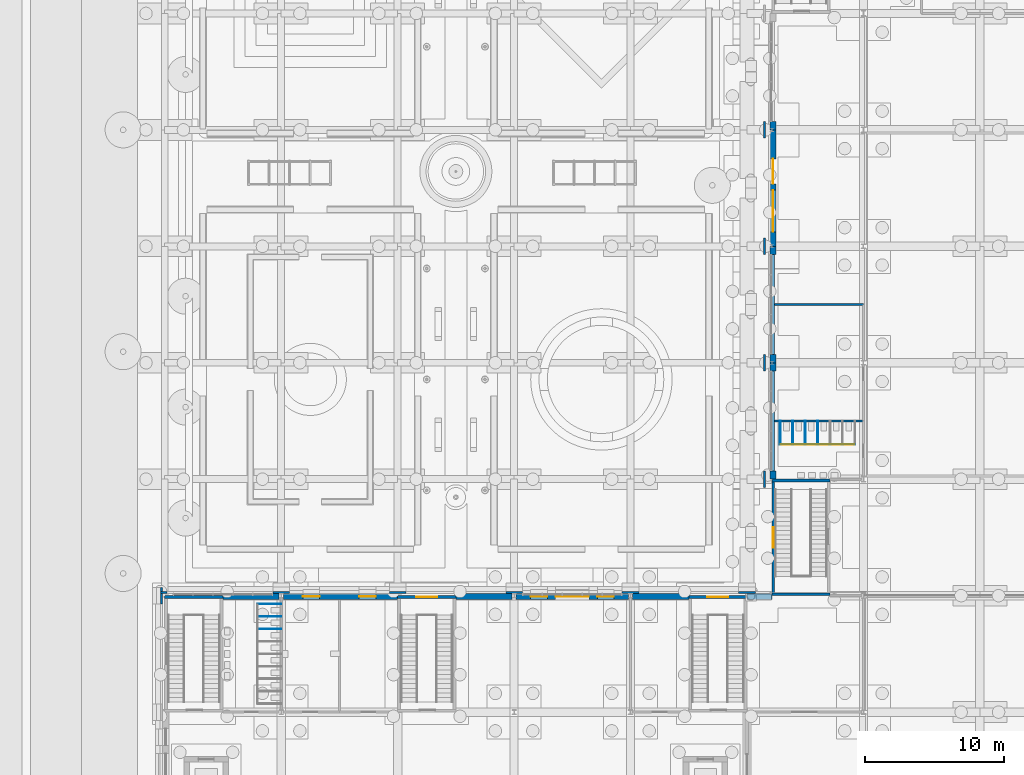
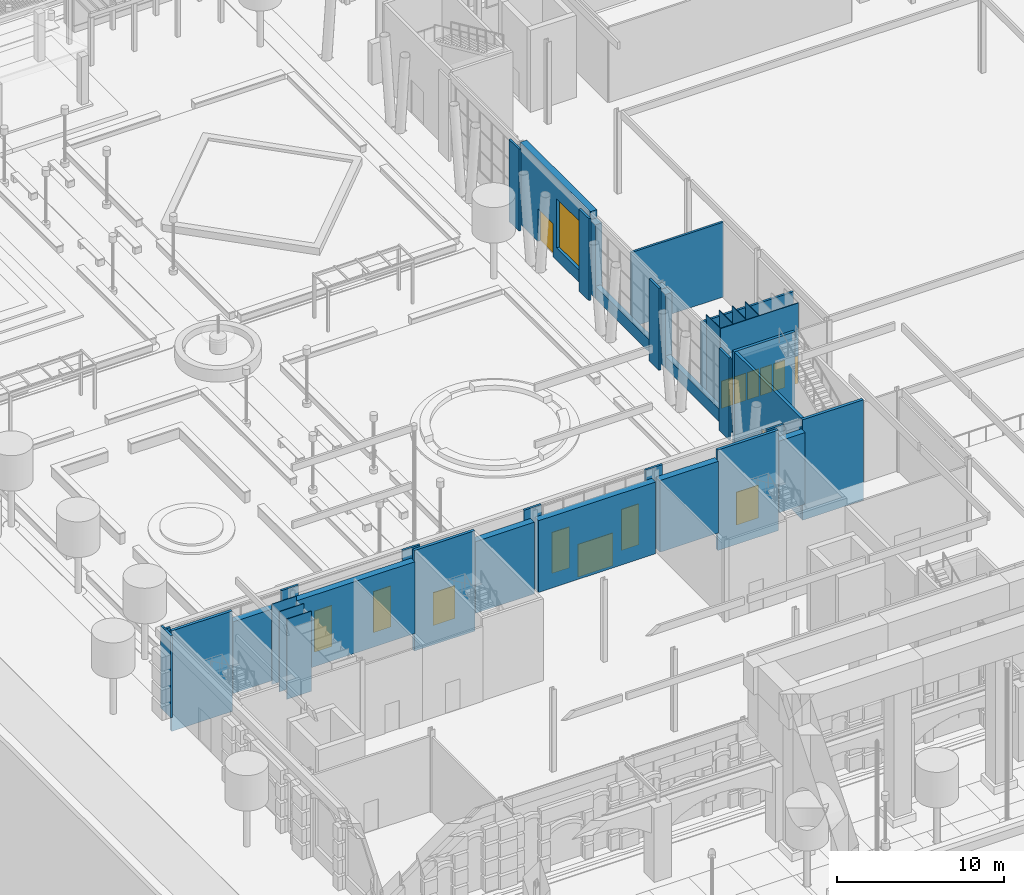
# One storey, part 93 of 222: 41 walls, 11 doors, 5 windows, 16 openings.
"""IFC4 building model written with IfcOpenShell, lengths in metres."""

from ifc_helpers import new_model, si_unit, direction, frame, frame_2d, origin, place, context, subcontext, project, spatial, rectangle, extrude, material, layer, layer_set, type_object, element, fill, save


model = new_model("IFC4")

# Units and contexts
model_context = context("Model", 3, precision=1e-05, world=origin(), true_north=direction((0.0, 1.0)))
body_context = subcontext(model_context, "Body", "Model", "MODEL_VIEW")
ifc_project = project(units=[si_unit("LENGTHUNIT", "METRE"), si_unit("AREAUNIT", "SQUARE_METRE"), si_unit("VOLUMEUNIT", "CUBIC_METRE"), si_unit("PLANEANGLEUNIT", "RADIAN"), si_unit("MASSUNIT", "GRAM", prefix="KILO")], contexts=[model_context])

# Site, building, storey
site_placement = place(None, origin())
site = spatial("IfcSite", under=ifc_project, at=site_placement, CompositionType="ELEMENT")
building_placement = place(site_placement, origin())
building = spatial("IfcBuilding", under=site, at=building_placement, Name="Sava Quay Ferry Terminal", CompositionType="ELEMENT")
storey_placement = place(building_placement, origin())
storey = spatial("IfcBuildingStorey", under=building, at=storey_placement, Name="L00", CompositionType="ELEMENT", Elevation=0.0)

# Walls
ifc_material_1 = material(Name="High-pressure laminate panel")
ifc_layer_1 = layer(ifc_material_1, 0.050048828125)
ifc_layer_set_1 = layer_set([ifc_layer_1], Name="High-pressure laminate panel")
wall_type_1 = type_object("IfcWallType", Name="Cubicle partition 50", PredefinedType="PARTITIONING", material=ifc_layer_set_1)
for number, where, z_axis, x_axis, name in (
    (1, (8.39990234375, 48.0, 0.0), (0.0, 0.0, 1.0), (-1.0, 0.0, 0.0), "Cubicle partition panel"),
    (2, (8.39990234375, 48.89990234375, 0.0), (0.0, 0.0, 1.0), (-1.0, 0.0, 0.0), "Cubicle partition panel"),
    (3, (8.39990234375, 49.800048828125, 0.0), (0.0, 0.0, 1.0), (-1.0, 0.0, 0.0), "Cubicle partition panel"),
):
    element("IfcWall", number, at=place(storey_placement, frame(where, z_axis=z_axis, x_axis=x_axis)), inside=storey, type_object=wall_type_1, Name=name, PredefinedType="PARTITIONING", context=body_context, shape_type="SweptSolid", body=[
        extrude(rectangle(XDim=1.699951171875, YDim=0.050048828125, at=frame_2d((0.85009765625, 0.0))), origin(), (0.0, 0.0, 1.0), 5.8701171875),
    ])

# Wall, openings, doors
wall_1_placement = place(storey_placement, frame((44.39990234375, 61.300048828125, 0.0), z_axis=(0.0, 0.0, 1.0), x_axis=(1.0, 0.0, 0.0)))
wall_1 = element("IfcWall", 4, at=wall_1_placement, inside=storey, type_object=wall_type_1, Name="Cubicle partition panel", PredefinedType="PARTITIONING", context=body_context, shape_type="SweptSolid", body=[
    extrude(rectangle(XDim=5.400146484375, YDim=0.050048828125, at=frame_2d((2.7001953125, 0.0))), origin(), (0.0, 0.0, 1.0), 5.8701171875),
])
opening_1_placement = place(wall_1_placement, frame((0.050048828125, 0.0, 0.0)))
opening_1 = element("IfcOpeningElement", 5, at=opening_1_placement, cuts=wall_1, Name="Opening CD021", PredefinedType="OPENING", context=body_context, shape_type="SweptSolid", body=[
    extrude(rectangle(XDim=0.800048828125, YDim=2.0, at=frame_2d((0.39990234375, 1.0))), frame((0.0, 0.02490234375, 0.0), z_axis=(0.0, -1.0, 0.0), x_axis=(1.0, 0.0, 0.0)), (0.0, 0.0, 1.0), 0.050048828125),
])
opening_2_placement = place(wall_1_placement, frame((0.949951171875, 0.0, 0.0)))
opening_2 = element("IfcOpeningElement", 6, at=opening_2_placement, cuts=wall_1, Name="Opening CD022", PredefinedType="OPENING", context=body_context, shape_type="SweptSolid", body=[
    extrude(rectangle(XDim=0.800048828125, YDim=2.0, at=frame_2d((0.39990234375, 1.0))), frame((0.0, 0.02490234375, 0.0), z_axis=(0.0, -1.0, 0.0), x_axis=(1.0, 0.0, 0.0)), (0.0, 0.0, 1.0), 0.050048828125),
])
opening_3_placement = place(wall_1_placement, frame((1.85009765625, 0.0, 0.0)))
opening_3 = element("IfcOpeningElement", 7, at=opening_3_placement, cuts=wall_1, Name="Opening CD023", PredefinedType="OPENING", context=body_context, shape_type="SweptSolid", body=[
    extrude(rectangle(XDim=0.800048828125, YDim=2.0, at=frame_2d((0.39990234375, 1.0))), frame((0.0, 0.02490234375, 0.0), z_axis=(0.0, -1.0, 0.0), x_axis=(1.0, 0.0, 0.0)), (0.0, 0.0, 1.0), 0.050048828125),
])
opening_4_placement = place(wall_1_placement, frame((2.75, 0.0, 0.0)))
opening_4 = element("IfcOpeningElement", 8, at=opening_4_placement, cuts=wall_1, Name="Opening CD024", PredefinedType="OPENING", context=body_context, shape_type="SweptSolid", body=[
    extrude(rectangle(XDim=0.800048828125, YDim=2.0, at=frame_2d((0.39990234375, 1.0))), frame((0.0, 0.02490234375, 0.0), z_axis=(0.0, -1.0, 0.0), x_axis=(1.0, 0.0, 0.0)), (0.0, 0.0, 1.0), 0.050048828125),
])
opening_5_placement = place(wall_1_placement, frame((3.64990234375, 0.0, 0.0)))
opening_5 = element("IfcOpeningElement", 9, at=opening_5_placement, cuts=wall_1, Name="Opening CD025", PredefinedType="OPENING", context=body_context, shape_type="SweptSolid", body=[
    extrude(rectangle(XDim=0.800048828125, YDim=2.0, at=frame_2d((0.39990234375, 1.0))), frame((0.0, 0.02490234375, 0.0), z_axis=(0.0, -1.0, 0.0), x_axis=(1.0, 0.0, 0.0)), (0.0, 0.0, 1.0), 0.050048828125),
])
opening_6_placement = place(wall_1_placement, frame((4.550048828125, 0.0, 0.0)))
opening_6 = element("IfcOpeningElement", 10, at=opening_6_placement, cuts=wall_1, Name="Opening CD026", PredefinedType="OPENING", context=body_context, shape_type="SweptSolid", body=[
    extrude(rectangle(XDim=0.800048828125, YDim=2.0, at=frame_2d((0.39990234375, 1.0))), frame((0.0, 0.02490234375, 0.0), z_axis=(0.0, -1.0, 0.0), x_axis=(1.0, 0.0, 0.0)), (0.0, 0.0, 1.0), 0.050048828125),
])
ifc_material_2 = material(Name="Laminate door set")
door_type_1 = type_object("IfcDoorType", Name="Cubicle door 800 x 2000", OperationType="NOTDEFINED", PredefinedType="DOOR", material=ifc_material_2)
door_1_placement = place(opening_1_placement, origin())
door_1 = element("IfcDoor", 11, at=door_1_placement, inside=storey, type_object=door_type_1, Name="Cubicle door", OperationType="SINGLE_SWING_RIGHT", OverallHeight=2.0, OverallWidth=0.800048828125, PredefinedType="DOOR", context=body_context, shape_type="SweptSolid", body=[
    extrude(rectangle(XDim=0.800048828125, YDim=2.0, at=frame_2d((0.39990234375, 1.0))), frame((0.0, 0.02490234375, 0.0), z_axis=(0.0, -1.0, 0.0), x_axis=(1.0, 0.0, 0.0)), (0.0, 0.0, 1.0), 0.049560546875),
])
fill(opening_1, door_1)
door_2_placement = place(opening_2_placement, origin())
door_2 = element("IfcDoor", 12, at=door_2_placement, inside=storey, type_object=door_type_1, Name="Cubicle door", OperationType="SINGLE_SWING_LEFT", OverallHeight=2.0, OverallWidth=0.800048828125, PredefinedType="DOOR", context=body_context, shape_type="SweptSolid", body=[
    extrude(rectangle(XDim=0.800048828125, YDim=2.0, at=frame_2d((0.39990234375, 1.0))), frame((0.0, 0.02490234375, 0.0), z_axis=(0.0, -1.0, 0.0), x_axis=(1.0, 0.0, 0.0)), (0.0, 0.0, 1.0), 0.049560546875),
])
fill(opening_2, door_2)
door_3_placement = place(opening_3_placement, origin())
door_3 = element("IfcDoor", 13, at=door_3_placement, inside=storey, type_object=door_type_1, Name="Cubicle door", OperationType="SINGLE_SWING_RIGHT", OverallHeight=2.0, OverallWidth=0.800048828125, PredefinedType="DOOR", context=body_context, shape_type="SweptSolid", body=[
    extrude(rectangle(XDim=0.800048828125, YDim=2.0, at=frame_2d((0.39990234375, 1.0))), frame((0.0, 0.02490234375, 0.0), z_axis=(0.0, -1.0, 0.0), x_axis=(1.0, 0.0, 0.0)), (0.0, 0.0, 1.0), 0.049560546875),
])
fill(opening_3, door_3)
door_4_placement = place(opening_4_placement, origin())
door_4 = element("IfcDoor", 14, at=door_4_placement, inside=storey, type_object=door_type_1, Name="Cubicle door", OperationType="SINGLE_SWING_LEFT", OverallHeight=2.0, OverallWidth=0.800048828125, PredefinedType="DOOR", context=body_context, shape_type="SweptSolid", body=[
    extrude(rectangle(XDim=0.800048828125, YDim=2.0, at=frame_2d((0.39990234375, 1.0))), frame((0.0, 0.02490234375, 0.0), z_axis=(0.0, -1.0, 0.0), x_axis=(1.0, 0.0, 0.0)), (0.0, 0.0, 1.0), 0.049560546875),
])
fill(opening_4, door_4)
door_5_placement = place(opening_5_placement, origin())
door_5 = element("IfcDoor", 15, at=door_5_placement, inside=storey, type_object=door_type_1, Name="Cubicle door", OperationType="SINGLE_SWING_RIGHT", OverallHeight=2.0, OverallWidth=0.800048828125, PredefinedType="DOOR", context=body_context, shape_type="SweptSolid", body=[
    extrude(rectangle(XDim=0.800048828125, YDim=2.0, at=frame_2d((0.39990234375, 1.0))), frame((0.0, 0.02490234375, 0.0), z_axis=(0.0, -1.0, 0.0), x_axis=(1.0, 0.0, 0.0)), (0.0, 0.0, 1.0), 0.049560546875),
])
fill(opening_5, door_5)
door_6_placement = place(opening_6_placement, origin())
door_6 = element("IfcDoor", 16, at=door_6_placement, inside=storey, type_object=door_type_1, Name="Cubicle door", OperationType="SINGLE_SWING_LEFT", OverallHeight=2.0, OverallWidth=0.800048828125, PredefinedType="DOOR", context=body_context, shape_type="SweptSolid", body=[
    extrude(rectangle(XDim=0.800048828125, YDim=2.0, at=frame_2d((0.39990234375, 1.0))), frame((0.0, 0.02490234375, 0.0), z_axis=(0.0, -1.0, 0.0), x_axis=(1.0, 0.0, 0.0)), (0.0, 0.0, 1.0), 0.049560546875),
])
fill(opening_6, door_6)

# Walls
for number, where, z_axis, x_axis, name in (
    (17, (44.39990234375, 63.0, 0.0), (0.0, 0.0, 1.0), (0.0, -1.0, 0.0), "Cubicle partition panel"),
    (18, (45.300048828125, 63.0, 0.0), (0.0, 0.0, 1.0), (0.0, -1.0, 0.0), "Cubicle partition panel"),
    (19, (46.199951171875, 63.0, 0.0), (0.0, 0.0, 1.0), (0.0, -1.0, 0.0), "Cubicle partition panel"),
    (20, (47.10009765625, 63.0, 0.0), (0.0, 0.0, 1.0), (0.0, -1.0, 0.0), "Cubicle partition panel"),
):
    element("IfcWall", number, at=place(storey_placement, frame(where, z_axis=z_axis, x_axis=x_axis)), inside=storey, type_object=wall_type_1, Name=name, PredefinedType="PARTITIONING", context=body_context, shape_type="SweptSolid", body=[
        extrude(rectangle(XDim=1.699951171875, YDim=0.050048828125, at=frame_2d((0.85009765625, 0.0))), origin(), (0.0, 0.0, 1.0), 5.8701171875),
    ])
ifc_material_3 = material(Name="Limestone Mutalj", Category="masonry")
ifc_layer_2 = layer(ifc_material_3, 0.35009765625)
ifc_layer_set_2 = layer_set([ifc_layer_2], Name="Limestone Mutalj")
wall_type_2 = type_object("IfcWallType", Name="Limestone kerb and parapet 350", PredefinedType="SOLIDWALL", material=ifc_layer_set_2)
wall_2_placement = place(storey_placement, frame((43.824951171875, 59.39990234375, 0.0), z_axis=(0.0, 0.0, 1.0), x_axis=(0.0, 1.0, 0.0)))
element("IfcWall", 21, at=wall_2_placement, inside=storey, type_object=wall_type_2, Name="External wall D", PredefinedType="SOLIDWALL", context=body_context, shape_type="SweptSolid", body=[
    extrude(rectangle(XDim=7.2001953125, YDim=0.35009765625, at=frame_2d((3.60009765625, 0.0))), origin(), (0.0, 0.0, 1.0), 0.89990234375),
])
wall_3_placement = place(storey_placement, frame((43.824951171875, 67.800048828125, 0.0), z_axis=(0.0, 0.0, 1.0), x_axis=(0.0, 1.0, 0.0)))
element("IfcWall", 22, at=wall_3_placement, inside=storey, type_object=wall_type_2, Name="External wall D", PredefinedType="SOLIDWALL", context=body_context, shape_type="SweptSolid", body=[
    extrude(rectangle(XDim=7.199951171875, YDim=0.35009765625, at=frame_2d((3.60009765625, 0.0))), origin(), (0.0, 0.0, 1.0), 0.89990234375),
])
ifc_material_4 = material(Name="Limestone Mutalj", Category="masonry")
ifc_layer_3 = layer(ifc_material_4, 0.14990234375)
ifc_layer_set_3 = layer_set([ifc_layer_3], Name="Limestone Mutalj")
wall_type_3 = type_object("IfcWallType", Name="Pier cladding 150", PredefinedType="SOLIDWALL", material=ifc_layer_set_3)
wall_4_placement = place(storey_placement, frame((-0.22509765625, 49.800048828125, 0.0), z_axis=(0.0, 0.0, 1.0), x_axis=(0.0, 1.0, 0.0)))
element("IfcWall", 23, at=wall_4_placement, inside=storey, type_object=wall_type_3, Name="Pier W-W grid 50.4", PredefinedType="SOLIDWALL", context=body_context, shape_type="SweptSolid", body=[
    extrude(rectangle(XDim=1.199951171875, YDim=0.14990234375, at=frame_2d((0.60009765625, 0.0))), origin(), (0.0, 0.0, 1.0), 6.0),
])
wall_5_placement = place(storey_placement, frame((-0.300048828125, 50.635009765625, 0.0), z_axis=(0.0, 0.0, 1.0), x_axis=(1.0, 0.0, 0.0)))
element("IfcWall", 24, at=wall_5_placement, inside=storey, type_object=wall_type_3, Name="Pier W-N grid 0", PredefinedType="SOLIDWALL", context=body_context, shape_type="SweptSolid", body=[
    extrude(rectangle(XDim=0.449951171875, YDim=0.14990234375, at=frame_2d((0.22509765625, 0.0))), origin(), (0.0, 0.0, 1.0), 6.0),
])
for number, where, z_axis, x_axis, name in (
    (25, (7.800048828125, 50.635009765625, 0.0), (0.0, 0.0, 1.0), (1.0, 0.0, 0.0), "Pier W-N grid 8.4"),
    (26, (16.199951171875, 50.635009765625, 0.0), (0.0, 0.0, 1.0), (1.0, 0.0, 0.0), "Pier W-N grid 16.8"),
    (27, (24.60009765625, 50.635009765625, 0.0), (0.0, 0.0, 1.0), (1.0, 0.0, 0.0), "Pier W-N grid 25.2"),
    (28, (33.0, 50.635009765625, 0.0), (0.0, 0.0, 1.0), (1.0, 0.0, 0.0), "Pier W-N grid 33.6"),
):
    element("IfcWall", number, at=place(storey_placement, frame(where, z_axis=z_axis, x_axis=x_axis)), inside=storey, type_object=wall_type_3, Name=name, PredefinedType="SOLIDWALL", context=body_context, shape_type="SweptSolid", body=[
        extrude(rectangle(XDim=1.199951171875, YDim=0.14990234375, at=frame_2d((0.60009765625, 0.0))), origin(), (0.0, 0.0, 1.0), 6.0),
    ])
wall_6_placement = place(storey_placement, frame((41.39990234375, 50.635009765625, 0.0), z_axis=(0.0, 0.0, 1.0), x_axis=(1.0, 0.0, 0.0)))
element("IfcWall", 29, at=wall_6_placement, inside=storey, type_object=wall_type_3, Name="Pier W-N grid 42", PredefinedType="SOLIDWALL", context=body_context, shape_type="SweptSolid", body=[
    extrude(rectangle(XDim=1.2001953125, YDim=0.14990234375, at=frame_2d((0.60009765625, 0.0))), origin(), (0.0, 0.0, 1.0), 6.0),
])
for number, where, z_axis, x_axis, name in (
    (30, (43.27490234375, 58.199951171875, 0.0), (0.0, 0.0, 1.0), (0.0, 1.0, 0.0), "External wall D"),
    (31, (43.27490234375, 66.60009765625, 0.0), (0.0, 0.0, 1.0), (0.0, 1.0, 0.0), "External wall D"),
    (32, (43.27490234375, 75.0, 0.0), (0.0, 0.0, 1.0), (0.0, 1.0, 0.0), "External wall D"),
):
    element("IfcWall", number, at=place(storey_placement, frame(where, z_axis=z_axis, x_axis=x_axis)), inside=storey, type_object=wall_type_3, Name=name, PredefinedType="SOLIDWALL", context=body_context, shape_type="SweptSolid", body=[
        extrude(rectangle(XDim=1.199951171875, YDim=0.14990234375, at=frame_2d((0.60009765625, 0.0))), origin(), (0.0, 0.0, 1.0), 6.0),
    ])
wall_7_placement = place(storey_placement, frame((43.27490234375, 83.39990234375, 0.0), z_axis=(0.0, 0.0, 1.0), x_axis=(0.0, 1.0, 0.0)))
element("IfcWall", 33, at=wall_7_placement, inside=storey, type_object=wall_type_3, Name="External wall D", PredefinedType="SOLIDWALL", context=body_context, shape_type="SweptSolid", body=[
    extrude(rectangle(XDim=1.2001953125, YDim=0.14990234375, at=frame_2d((0.60009765625, 0.0))), origin(), (0.0, 0.0, 1.0), 6.0),
])
ifc_material_5 = material(Name="Masonry blockwork", Category="masonry")
ifc_layer_4 = layer(ifc_material_5, 0.14990234375)
ifc_layer_set_4 = layer_set([ifc_layer_4], Name="Masonry blockwork")
wall_type_4 = type_object("IfcWallType", Name="Plant, store and lobby wall, blockwork 150", PredefinedType="PARTITIONING", material=ifc_layer_set_4)
for number, where, z_axis, x_axis, name in (
    (34, (44.00048828125, 63.0, 0.0), (0.0, 0.0, 1.0), (1.0, 0.0, 0.0), "Plant, store and lobby wall, blockwork 150"),
    (35, (44.00048828125, 71.39990234375, 0.0), (0.0, 0.0, 1.0), (1.0, 0.0, 0.0), "Plant, store and lobby wall, blockwork 150"),
):
    element("IfcWall", number, at=place(storey_placement, frame(where, z_axis=z_axis, x_axis=x_axis)), inside=storey, type_object=wall_type_4, Name=name, PredefinedType="PARTITIONING", context=body_context, shape_type="SweptSolid", body=[
        extrude(rectangle(XDim=6.3994140625, YDim=0.14990234375, at=frame_2d((3.19970703125, 0.0))), origin(), (0.0, 0.0, 1.0), 5.469970703125),
    ])
ifc_material_6 = material(Name="Concrete C35/45", Category="concrete")
ifc_layer_5 = layer(ifc_material_6, 0.199951171875)
ifc_layer_set_5 = layer_set([ifc_layer_5], Name="Concrete C35/45")
wall_type_5 = type_object("IfcWallType", Name="RC core wall 200", PredefinedType="SHEAR", material=ifc_layer_set_5)
for number, where, z_axis, x_axis, name in (
    (36, (43.800048828125, 50.5, -1.35009765625), (0.0, 0.0, 1.0), (1.0, 0.0, 0.0), "Core wall ST-D1 S L00"),
    (37, (43.800048828125, 58.699951171875, -1.35009765625), (0.0, 0.0, 1.0), (1.0, 0.0, 0.0), "Core wall ST-D1 N L00"),
):
    element("IfcWall", number, at=place(storey_placement, frame(where, z_axis=z_axis, x_axis=x_axis)), inside=storey, type_object=wall_type_5, Name=name, PredefinedType="SHEAR", context=body_context, shape_type="SweptSolid", body=[
        extrude(rectangle(XDim=4.199951171875, YDim=0.199951171875, at=frame_2d((2.10009765625, 0.0))), origin(), (0.0, 0.0, 1.0), 7.35009765625),
    ])

# Wall, opening, door
wall_8_placement = place(storey_placement, frame((43.89990234375, 50.60009765625, -1.35009765625), z_axis=(0.0, 0.0, 1.0), x_axis=(0.0, 1.0, 0.0)))
wall_8 = element("IfcWall", 38, at=wall_8_placement, inside=storey, type_object=wall_type_5, Name="Core wall ST-D1 W L00", PredefinedType="SHEAR", context=body_context, shape_type="SweptSolid", body=[
    extrude(rectangle(XDim=8.0, YDim=0.199951171875, at=frame_2d((4.0, 0.0))), origin(), (0.0, 0.0, 1.0), 7.35009765625),
])
opening_7_placement = place(wall_8_placement, frame((3.25, 0.0, 1.35009765625)))
opening_7 = element("IfcOpeningElement", 39, at=opening_7_placement, cuts=wall_8, Name="Opening DX-D1", PredefinedType="OPENING", context=body_context, shape_type="SweptSolid", body=[
    extrude(rectangle(XDim=1.5, YDim=2.39990234375, at=frame_2d((0.75, 1.199951171875))), frame((0.0, 0.10009765625, 0.0), z_axis=(0.0, -1.0, 0.0), x_axis=(1.0, 0.0, 0.0)), (0.0, 0.0, 1.0), 0.199951171875),
])
ifc_material_7 = material(Name="Aluminium bronze anodised, glazing safety laminated", Category="aluminium")
door_type_2 = type_object("IfcDoorType", Name="Exit door 1500x2400", OperationType="DOUBLE_DOOR_SINGLE_SWING", PredefinedType="DOOR", material=ifc_material_7)
door_7_placement = place(opening_7_placement, origin())
door_7 = element("IfcDoor", 40, at=door_7_placement, inside=storey, type_object=door_type_2, Name="Door DX-D1", OperationType="DOUBLE_DOOR_SINGLE_SWING", OverallHeight=2.39990234375, OverallWidth=1.5, PredefinedType="DOOR", context=body_context, shape_type="SweptSolid", body=[
    extrude(rectangle(XDim=1.5, YDim=2.39990234375, at=frame_2d((0.75, 1.199951171875))), frame((0.0, 0.02490234375, 0.0), z_axis=(0.0, -1.0, 0.0), x_axis=(1.0, 0.0, 0.0)), (0.0, 0.0, 1.0), 0.050048828125),
])
fill(opening_7, door_7)

# Wall
wall_9_placement = place(storey_placement, frame((0.0, 50.300048828125, -1.35009765625), z_axis=(0.0, 0.0, 1.0), x_axis=(1.0, 0.0, 0.0)))
element("IfcWall", 41, at=wall_9_placement, inside=storey, type_object=wall_type_5, Name="Core wall ST-W1 N L00", PredefinedType="SHEAR", context=body_context, shape_type="SweptSolid", body=[
    extrude(rectangle(XDim=4.199951171875, YDim=0.199951171875, at=frame_2d((2.10009765625, 0.0))), origin(), (0.0, 0.0, 1.0), 7.35009765625),
])

# Wall, opening, door
wall_10_placement = place(storey_placement, frame((37.800048828125, 50.300048828125, -1.35009765625), z_axis=(0.0, 0.0, 1.0), x_axis=(1.0, 0.0, 0.0)))
wall_10 = element("IfcWall", 42, at=wall_10_placement, inside=storey, type_object=wall_type_5, Name="Core wall ST-W2 N L00", PredefinedType="SHEAR", context=body_context, shape_type="SweptSolid", body=[
    extrude(rectangle(XDim=4.199951171875, YDim=0.199951171875, at=frame_2d((2.10009765625, 0.0))), origin(), (0.0, 0.0, 1.0), 7.35009765625),
])
opening_8_placement = place(wall_10_placement, frame((1.35009765625, 0.0, 1.35009765625)))
opening_8 = element("IfcOpeningElement", 43, at=opening_8_placement, cuts=wall_10, Name="Opening DX-W4", PredefinedType="OPENING", context=body_context, shape_type="SweptSolid", body=[
    extrude(rectangle(XDim=1.5, YDim=2.39990234375, at=frame_2d((0.75, 1.199951171875))), frame((0.0, 0.10009765625, 0.0), z_axis=(0.0, -1.0, 0.0), x_axis=(1.0, 0.0, 0.0)), (0.0, 0.0, 1.0), 0.199951171875),
])
door_8_placement = place(opening_8_placement, origin())
door_8 = element("IfcDoor", 44, at=door_8_placement, inside=storey, type_object=door_type_2, Name="Door DX-W4", OperationType="DOUBLE_DOOR_SINGLE_SWING", OverallHeight=2.39990234375, OverallWidth=1.5, PredefinedType="DOOR", context=body_context, shape_type="SweptSolid", body=[
    extrude(rectangle(XDim=1.5, YDim=2.39990234375, at=frame_2d((0.75, 1.199951171875))), frame((0.0, 0.02490234375, 0.0), z_axis=(0.0, -1.0, 0.0), x_axis=(1.0, 0.0, 0.0)), (0.0, 0.0, 1.0), 0.050048828125),
])
fill(opening_8, door_8)

wall_11_placement = place(storey_placement, frame((16.800048828125, 50.300048828125, -1.35009765625), z_axis=(0.0, 0.0, 1.0), x_axis=(1.0, 0.0, 0.0)))
wall_11 = element("IfcWall", 45, at=wall_11_placement, inside=storey, type_object=wall_type_5, Name="Core wall ST-W3 N L00", PredefinedType="SHEAR", context=body_context, shape_type="SweptSolid", body=[
    extrude(rectangle(XDim=4.199951171875, YDim=0.199951171875, at=frame_2d((2.10009765625, 0.0))), origin(), (0.0, 0.0, 1.0), 7.35009765625),
])
opening_9_placement = place(wall_11_placement, frame((1.35009765625, 0.0, 1.35009765625)))
opening_9 = element("IfcOpeningElement", 46, at=opening_9_placement, cuts=wall_11, Name="Opening DX-W3", PredefinedType="OPENING", context=body_context, shape_type="SweptSolid", body=[
    extrude(rectangle(XDim=1.5, YDim=2.39990234375, at=frame_2d((0.75, 1.199951171875))), frame((0.0, 0.10009765625, 0.0), z_axis=(0.0, -1.0, 0.0), x_axis=(1.0, 0.0, 0.0)), (0.0, 0.0, 1.0), 0.199951171875),
])
door_9_placement = place(opening_9_placement, origin())
door_9 = element("IfcDoor", 47, at=door_9_placement, inside=storey, type_object=door_type_2, Name="Door DX-W3", OperationType="DOUBLE_DOOR_SINGLE_SWING", OverallHeight=2.39990234375, OverallWidth=1.5, PredefinedType="DOOR", context=body_context, shape_type="SweptSolid", body=[
    extrude(rectangle(XDim=1.5, YDim=2.39990234375, at=frame_2d((0.75, 1.199951171875))), frame((0.0, 0.02490234375, 0.0), z_axis=(0.0, -1.0, 0.0), x_axis=(1.0, 0.0, 0.0)), (0.0, 0.0, 1.0), 0.050048828125),
])
fill(opening_9, door_9)

# Wall
ifc_material_8 = material(Name="Limestone Mutalj", Category="masonry")
ifc_layer_6 = layer(ifc_material_8, 0.449951171875)
ifc_layer_set_6 = layer_set([ifc_layer_6], Name="Limestone Mutalj")
wall_type_6 = type_object("IfcWallType", Name="Rusticated limestone infill 450", PredefinedType="SOLIDWALL", material=ifc_layer_set_6)
wall_12_placement = place(storey_placement, frame((4.199951171875, 50.3349609375, 0.0), z_axis=(0.0, 0.0, 1.0), x_axis=(1.0, 0.0, 0.0)))
element("IfcWall", 48, at=wall_12_placement, inside=storey, type_object=wall_type_6, Name="External wall W-N", PredefinedType="SOLIDWALL", context=body_context, shape_type="SweptSolid", body=[
    extrude(rectangle(XDim=4.050048828125, YDim=0.449951171875, at=frame_2d((2.02490234375, 0.0))), origin(), (0.0, 0.0, 1.0), 5.25),
])

# Wall, openings, windows
wall_13_placement = place(storey_placement, frame((8.550048828125, 50.3349609375, 0.0), z_axis=(0.0, 0.0, 1.0), x_axis=(1.0, 0.0, 0.0)))
wall_13 = element("IfcWall", 49, at=wall_13_placement, inside=storey, type_object=wall_type_6, Name="External wall W-N", PredefinedType="SOLIDWALL", context=body_context, shape_type="SweptSolid", body=[
    extrude(rectangle(XDim=8.25, YDim=0.449951171875, at=frame_2d((4.125, 0.0))), origin(), (0.0, 0.0, 1.0), 5.25),
])
opening_10_placement = place(wall_13_placement, frame((1.418701171875, 0.0, 0.89990234375)))
opening_10 = element("IfcOpeningElement", 50, at=opening_10_placement, cuts=wall_13, Name="Opening W-E1", PredefinedType="OPENING", context=body_context, shape_type="SweptSolid", body=[
    extrude(rectangle(XDim=1.199951171875, YDim=3.0, at=frame_2d((0.60009765625, 1.5))), frame((0.0, 0.22509765625, 0.0), z_axis=(0.0, -1.0, 0.0), x_axis=(1.0, 0.0, 0.0)), (0.0, 0.0, 1.0), 0.449951171875),
])
opening_11_placement = place(wall_13_placement, frame((5.481201171875, 0.0, 0.89990234375)))
opening_11 = element("IfcOpeningElement", 51, at=opening_11_placement, cuts=wall_13, Name="Opening W-E1", PredefinedType="OPENING", context=body_context, shape_type="SweptSolid", body=[
    extrude(rectangle(XDim=1.199951171875, YDim=3.0, at=frame_2d((0.60009765625, 1.5))), frame((0.0, 0.22509765625, 0.0), z_axis=(0.0, -1.0, 0.0), x_axis=(1.0, 0.0, 0.0)), (0.0, 0.0, 1.0), 0.449951171875),
])
ifc_material_9 = material(Name="Aluminium bronze anodised frame, glazing double low-e Ug 1.1", Category="aluminium")
window_type_1 = type_object("IfcWindowType", Name="Entrance sidelight 1200x3000", PartitioningType="SINGLE_PANEL", PredefinedType="WINDOW", material=ifc_material_9)
window_1_placement = place(opening_10_placement, origin())
window_1 = element("IfcWindow", 52, at=window_1_placement, inside=storey, type_object=window_type_1, Name="Window W-E1", OverallHeight=3.0, OverallWidth=1.199951171875, PartitioningType="SINGLE_PANEL", PredefinedType="WINDOW", context=body_context, shape_type="SweptSolid", body=[
    extrude(rectangle(XDim=1.199951171875, YDim=3.0, at=frame_2d((0.60009765625, 1.5))), frame((0.0, 0.030029296875, 0.0), z_axis=(0.0, -1.0, 0.0), x_axis=(1.0, 0.0, 0.0)), (0.0, 0.0, 1.0), 0.06005859375),
])
fill(opening_10, window_1)
window_2_placement = place(opening_11_placement, origin())
window_2 = element("IfcWindow", 53, at=window_2_placement, inside=storey, type_object=window_type_1, Name="Window W-E1", OverallHeight=3.0, OverallWidth=1.199951171875, PartitioningType="SINGLE_PANEL", PredefinedType="WINDOW", context=body_context, shape_type="SweptSolid", body=[
    extrude(rectangle(XDim=1.199951171875, YDim=3.0, at=frame_2d((0.60009765625, 1.5))), frame((0.0, 0.030029296875, 0.0), z_axis=(0.0, -1.0, 0.0), x_axis=(1.0, 0.0, 0.0)), (0.0, 0.0, 1.0), 0.06005859375),
])
fill(opening_11, window_2)

# Wall
wall_14_placement = place(storey_placement, frame((21.0, 50.3349609375, 0.0), z_axis=(0.0, 0.0, 1.0), x_axis=(1.0, 0.0, 0.0)))
element("IfcWall", 54, at=wall_14_placement, inside=storey, type_object=wall_type_6, Name="External wall W-N", PredefinedType="SOLIDWALL", context=body_context, shape_type="SweptSolid", body=[
    extrude(rectangle(XDim=4.050048828125, YDim=0.449951171875, at=frame_2d((2.02490234375, 0.0))), origin(), (0.0, 0.0, 1.0), 5.25),
])

# Wall, openings, door, windows
wall_15_placement = place(storey_placement, frame((25.35009765625, 50.3349609375, 0.0), z_axis=(0.0, 0.0, 1.0), x_axis=(1.0, 0.0, 0.0)))
wall_15 = element("IfcWall", 55, at=wall_15_placement, inside=storey, type_object=wall_type_6, Name="External wall W-N", PredefinedType="SOLIDWALL", context=body_context, shape_type="SweptSolid", body=[
    extrude(rectangle(XDim=8.099853515625, YDim=0.449951171875, at=frame_2d((4.0498046875, 0.0))), origin(), (0.0, 0.0, 1.0), 5.25),
])
opening_12_placement = place(wall_15_placement, frame((2.85009765625, 0.0, 0.0)))
opening_12 = element("IfcOpeningElement", 56, at=opening_12_placement, cuts=wall_15, Name="Opening DX-W5", PredefinedType="OPENING", context=body_context, shape_type="SweptSolid", body=[
    extrude(rectangle(XDim=2.39990234375, YDim=2.39990234375, at=frame_2d((1.199951171875, 1.199951171875))), frame((0.0, 0.22509765625, 0.0), z_axis=(0.0, -1.0, 0.0), x_axis=(1.0, 0.0, 0.0)), (0.0, 0.0, 1.0), 0.449951171875),
])
opening_13_placement = place(wall_15_placement, frame((1.050048828125, 0.0, 0.89990234375)))
opening_13 = element("IfcOpeningElement", 57, at=opening_13_placement, cuts=wall_15, Name="Opening W-E1", PredefinedType="OPENING", context=body_context, shape_type="SweptSolid", body=[
    extrude(rectangle(XDim=1.199951171875, YDim=3.0, at=frame_2d((0.60009765625, 1.5))), frame((0.0, 0.22509765625, 0.0), z_axis=(0.0, -1.0, 0.0), x_axis=(1.0, 0.0, 0.0)), (0.0, 0.0, 1.0), 0.449951171875),
])
opening_14_placement = place(wall_15_placement, frame((5.85009765625, 0.0, 0.89990234375)))
opening_14 = element("IfcOpeningElement", 58, at=opening_14_placement, cuts=wall_15, Name="Opening W-E1", PredefinedType="OPENING", context=body_context, shape_type="SweptSolid", body=[
    extrude(rectangle(XDim=1.199951171875, YDim=3.0, at=frame_2d((0.60009765625, 1.5))), frame((0.0, 0.22509765625, 0.0), z_axis=(0.0, -1.0, 0.0), x_axis=(1.0, 0.0, 0.0)), (0.0, 0.0, 1.0), 0.449951171875),
])
ifc_material_10 = material(Name="Aluminium bronze anodised, glazing safety laminated", Category="aluminium")
door_type_3 = type_object("IfcDoorType", Name="Entrance double door 2400x2400", OperationType="DOUBLE_DOOR_SINGLE_SWING", PredefinedType="DOOR", material=ifc_material_10)
door_10_placement = place(opening_12_placement, origin())
door_10 = element("IfcDoor", 59, at=door_10_placement, inside=storey, type_object=door_type_3, Name="Door DX-W5", OperationType="DOUBLE_DOOR_SINGLE_SWING", OverallHeight=2.39990234375, OverallWidth=2.39990234375, PredefinedType="DOOR", context=body_context, shape_type="SweptSolid", body=[
    extrude(rectangle(XDim=2.39990234375, YDim=2.39990234375, at=frame_2d((1.199951171875, 1.199951171875))), frame((0.0, 0.02490234375, 0.0), z_axis=(0.0, -1.0, 0.0), x_axis=(1.0, 0.0, 0.0)), (0.0, 0.0, 1.0), 0.050048828125),
])
fill(opening_12, door_10)
window_3_placement = place(opening_13_placement, origin())
window_3 = element("IfcWindow", 60, at=window_3_placement, inside=storey, type_object=window_type_1, Name="Window W-E1", OverallHeight=3.0, OverallWidth=1.199951171875, PartitioningType="SINGLE_PANEL", PredefinedType="WINDOW", context=body_context, shape_type="SweptSolid", body=[
    extrude(rectangle(XDim=1.199951171875, YDim=3.0, at=frame_2d((0.60009765625, 1.5))), frame((0.0, 0.030029296875, 0.0), z_axis=(0.0, -1.0, 0.0), x_axis=(1.0, 0.0, 0.0)), (0.0, 0.0, 1.0), 0.06005859375),
])
fill(opening_13, window_3)
window_4_placement = place(opening_14_placement, origin())
window_4 = element("IfcWindow", 61, at=window_4_placement, inside=storey, type_object=window_type_1, Name="Window W-E1", OverallHeight=3.0, OverallWidth=1.199951171875, PartitioningType="SINGLE_PANEL", PredefinedType="WINDOW", context=body_context, shape_type="SweptSolid", body=[
    extrude(rectangle(XDim=1.199951171875, YDim=3.0, at=frame_2d((0.60009765625, 1.5))), frame((0.0, 0.030029296875, 0.0), z_axis=(0.0, -1.0, 0.0), x_axis=(1.0, 0.0, 0.0)), (0.0, 0.0, 1.0), 0.06005859375),
])
fill(opening_14, window_4)

# Walls
wall_16_placement = place(storey_placement, frame((33.75, 50.3349609375, 0.0), z_axis=(0.0, 0.0, 1.0), x_axis=(1.0, 0.0, 0.0)))
element("IfcWall", 62, at=wall_16_placement, inside=storey, type_object=wall_type_6, Name="External wall W-N", PredefinedType="SOLIDWALL", context=body_context, shape_type="SweptSolid", body=[
    extrude(rectangle(XDim=4.050048828125, YDim=0.449951171875, at=frame_2d((2.02490234375, 0.0))), origin(), (0.0, 0.0, 1.0), 5.25),
])
wall_17_placement = place(storey_placement, frame((42.0, 50.3349609375, 0.0), z_axis=(0.0, 0.0, 1.0), x_axis=(1.0, 0.0, 0.0)))
element("IfcWall", 63, at=wall_17_placement, inside=storey, type_object=wall_type_6, Name="External wall W-N", PredefinedType="SOLIDWALL", context=body_context, shape_type="SweptSolid", body=[
    extrude(rectangle(XDim=1.800048828125, YDim=0.449951171875, at=frame_2d((0.89990234375, 0.0))), origin(), (0.0, 0.0, 1.0), 5.25),
])
for number, where, z_axis, x_axis, name in (
    (64, (43.875, 58.800048828125, 0.0), (0.0, 0.0, 1.0), (0.0, 1.0, 0.0), "External wall D"),
    (65, (43.875, 66.60009765625, 0.0), (0.0, 0.0, 1.0), (0.0, 1.0, 0.0), "External wall D"),
):
    element("IfcWall", number, at=place(storey_placement, frame(where, z_axis=z_axis, x_axis=x_axis)), inside=storey, type_object=wall_type_6, Name=name, PredefinedType="SOLIDWALL", context=body_context, shape_type="SweptSolid", body=[
        extrude(rectangle(XDim=0.599853515625, YDim=0.449951171875, at=frame_2d((0.2998046875, 0.0))), origin(), (0.0, 0.0, 1.0), 5.39990234375),
    ])
for number, where, z_axis, x_axis, name in (
    (66, (43.875, 67.199951171875, 0.0), (0.0, 0.0, 1.0), (0.0, 1.0, 0.0), "External wall D"),
    (67, (43.875, 75.0, 0.0), (0.0, 0.0, 1.0), (0.0, 1.0, 0.0), "External wall D"),
):
    element("IfcWall", number, at=place(storey_placement, frame(where, z_axis=z_axis, x_axis=x_axis)), inside=storey, type_object=wall_type_6, Name=name, PredefinedType="SOLIDWALL", context=body_context, shape_type="SweptSolid", body=[
        extrude(rectangle(XDim=0.60009765625, YDim=0.449951171875, at=frame_2d((0.300048828125, 0.0))), origin(), (0.0, 0.0, 1.0), 5.39990234375),
    ])

# Wall, openings, door, window
wall_18_placement = place(storey_placement, frame((43.875, 75.60009765625, 0.0), z_axis=(0.0, 0.0, 1.0), x_axis=(0.0, 1.0, 0.0)))
wall_18 = element("IfcWall", 68, at=wall_18_placement, inside=storey, type_object=wall_type_6, Name="External wall D", PredefinedType="SOLIDWALL", context=body_context, shape_type="SweptSolid", body=[
    extrude(rectangle(XDim=8.39990234375, YDim=0.449951171875, at=frame_2d((4.199951171875, 0.0))), origin(), (0.0, 0.0, 1.0), 6.0),
])
opening_15_placement = place(wall_18_placement, frame((4.5, 0.0, 0.0)))
opening_15 = element("IfcOpeningElement", 69, at=opening_15_placement, cuts=wall_18, Name="Opening DX-D5", PredefinedType="OPENING", context=body_context, shape_type="SweptSolid", body=[
    extrude(rectangle(XDim=1.800048828125, YDim=2.39990234375, at=frame_2d((0.89990234375, 1.199951171875))), frame((0.0, 0.22509765625, 0.0), z_axis=(0.0, -1.0, 0.0), x_axis=(1.0, 0.0, 0.0)), (0.0, 0.0, 1.0), 0.449951171875),
])
opening_16_placement = place(wall_18_placement, frame((1.050048828125, 0.0, 0.89990234375)))
opening_16 = element("IfcOpeningElement", 70, at=opening_16_placement, cuts=wall_18, Name="Opening W-A", PredefinedType="OPENING", context=body_context, shape_type="SweptSolid", body=[
    extrude(rectangle(XDim=3.0, YDim=3.60009765625, at=frame_2d((1.5, 1.800048828125))), frame((0.0, 0.22509765625, 0.0), z_axis=(0.0, -1.0, 0.0), x_axis=(1.0, 0.0, 0.0)), (0.0, 0.0, 1.0), 0.449951171875),
])
ifc_material_11 = material(Name="Aluminium bronze anodised, glazing safety laminated", Category="aluminium")
door_type_4 = type_object("IfcDoorType", Name="Exit double door 1800x2400", OperationType="DOUBLE_DOOR_SINGLE_SWING", PredefinedType="DOOR", material=ifc_material_11)
door_11_placement = place(opening_15_placement, origin())
door_11 = element("IfcDoor", 71, at=door_11_placement, inside=storey, type_object=door_type_4, Name="Door DX-D5", OperationType="DOUBLE_DOOR_SINGLE_SWING", OverallHeight=2.39990234375, OverallWidth=1.800048828125, PredefinedType="DOOR", context=body_context, shape_type="SweptSolid", body=[
    extrude(rectangle(XDim=1.800048828125, YDim=2.39990234375, at=frame_2d((0.89990234375, 1.199951171875))), frame((0.0, 0.02490234375, 0.0), z_axis=(0.0, -1.0, 0.0), x_axis=(1.0, 0.0, 0.0)), (0.0, 0.0, 1.0), 0.050048828125),
])
fill(opening_15, door_11)
ifc_material_12 = material(Name="Aluminium bronze anodised frame, glazing double low-e Ug 1.1", Category="aluminium")
window_type_2 = type_object("IfcWindowType", Name="Tall ordered window 3000x3600", PartitioningType="SINGLE_PANEL", PredefinedType="WINDOW", material=ifc_material_12)
window_5_placement = place(opening_16_placement, origin())
window_5 = element("IfcWindow", 72, at=window_5_placement, inside=storey, type_object=window_type_2, Name="Window W-A", OverallHeight=3.60009765625, OverallWidth=3.0, PartitioningType="SINGLE_PANEL", PredefinedType="WINDOW", context=body_context, shape_type="SweptSolid", body=[
    extrude(rectangle(XDim=3.0, YDim=3.60009765625, at=frame_2d((1.5, 1.800048828125))), frame((0.0, 0.030029296875, 0.0), z_axis=(0.0, -1.0, 0.0), x_axis=(1.0, 0.0, 0.0)), (0.0, 0.0, 1.0), 0.06005859375),
])
fill(opening_16, window_5)

# Wall
wall_19_placement = place(storey_placement, frame((43.875, 84.0, 0.0), z_axis=(0.0, 0.0, 1.0), x_axis=(0.0, 1.0, 0.0)))
element("IfcWall", 73, at=wall_19_placement, inside=storey, type_object=wall_type_6, Name="External wall D", PredefinedType="SOLIDWALL", context=body_context, shape_type="SweptSolid", body=[
    extrude(rectangle(XDim=0.60009765625, YDim=0.449951171875, at=frame_2d((0.300048828125, 0.0))), origin(), (0.0, 0.0, 1.0), 5.39990234375),
])

save(model, "model.ifc")
